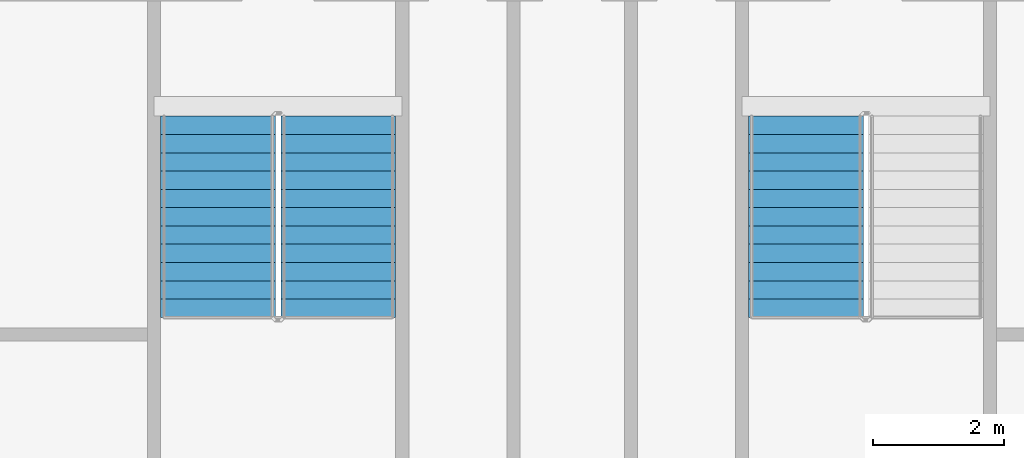
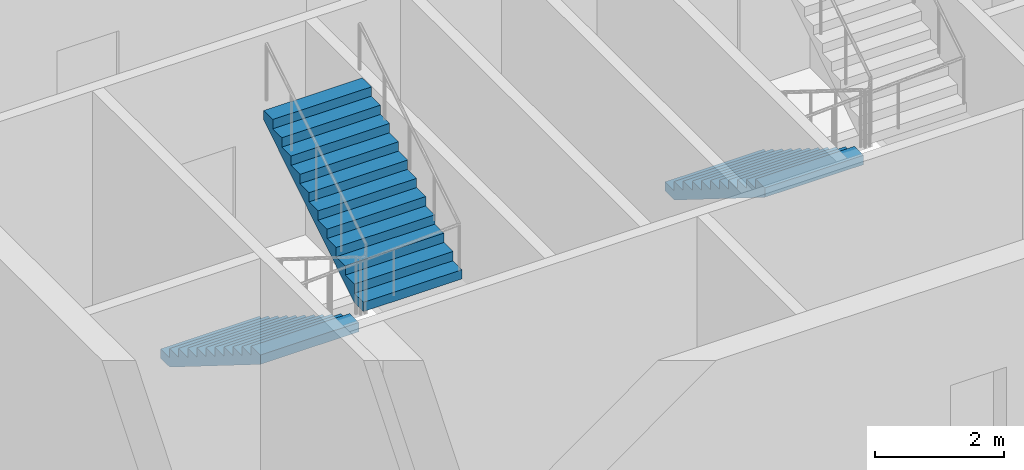
# One storey, part 29 of 36: 3 stair flights, 2 elements without a shape of their own.
"""IFC4 building model written with IfcOpenShell, lengths in metres."""

from ifc_helpers import new_model, si_unit, direction, frame, origin, place, context, subcontext, project, spatial, faceted_brep, material, type_object, element, aggregate, save


model = new_model("IFC4")

# Units and contexts
model_context = context("Model", 3, precision=1e-05, world=origin(), true_north=direction((0.0, 1.0)))
body_context = subcontext(model_context, "Body", "Model", "MODEL_VIEW")
ifc_project = project(units=[si_unit("LENGTHUNIT", "METRE"), si_unit("AREAUNIT", "SQUARE_METRE"), si_unit("VOLUMEUNIT", "CUBIC_METRE"), si_unit("PLANEANGLEUNIT", "RADIAN"), si_unit("MASSUNIT", "GRAM", prefix="KILO")], contexts=[model_context])

# Site, building, storey
site_placement = place(None, origin())
site = spatial("IfcSite", under=ifc_project, at=site_placement, CompositionType="ELEMENT")
building_placement = place(site_placement, origin())
building = spatial("IfcBuilding", under=site, at=building_placement, Name="Tarsis Ring Headquarters", CompositionType="ELEMENT")
storey_placement = place(building_placement, frame((0.0, 0.0, 386.0)))
storey = spatial("IfcBuildingStorey", under=building, at=storey_placement, Name="L91", CompositionType="ELEMENT", Elevation=386.0)

# Stair, stair flights
ifc_material_1 = material(Name="Core stair 1760")
stair_type = type_object("IfcStairType", Name="Core stair 1760", PredefinedType="HALF_TURN_STAIR", material=ifc_material_1)
stair_1_placement = place(storey_placement, origin())
stair_1 = element("IfcStair", 1, at=stair_1_placement, inside=storey, type_object=stair_type, Name="L91 Exit stair C", PredefinedType="HALF_TURN_STAIR")
ifc_material_2 = material(Name="Concrete C40/50", Category="concrete")
stair_flight_type = type_object("IfcStairFlightType", Name="Core stair flight 1760", PredefinedType="STRAIGHT", material=ifc_material_2)
stair_flight_1_placement = place(storey_placement, frame((-5.419921875, -3.659912109375, 0.0), z_axis=(0.0, 0.0, 1.0), x_axis=(0.0, -1.0, 0.0)))
stair_flight_1 = element("IfcStairFlight", 2, at=stair_flight_1_placement, type_object=stair_flight_type, Name="Stair ST3 flight 1", NumberOfRisers=12, NumberOfTreads=11, PredefinedType="STRAIGHT", RiserHeight=0.175, TreadLength=0.28, context=body_context, shape_type="Brep", body=[
    faceted_brep([(0.0, 0.8798828125, 0.0), (0.0, 0.8798828125, 0.175048828125), (0.280029296875, 0.8798828125, 0.175048828125), (0.280029296875, 0.8798828125, 0.35009765625), (0.56005859375, 0.8798828125, 0.35009765625), (0.56005859375, 0.8798828125, 0.52490234375), (0.840087890625, 0.8798828125, 0.52490234375), (0.840087890625, 0.8798828125, 0.699951171875), (1.1201171875, 0.8798828125, 0.699951171875), (1.1201171875, 0.8798828125, 0.875), (1.39990234375, 0.8798828125, 0.875), (1.39990234375, 0.8798828125, 1.050048828125), (1.679931640625, 0.8798828125, 1.050048828125), (1.679931640625, 0.8798828125, 1.22509765625), (1.9599609375, 0.8798828125, 1.22509765625), (1.9599609375, 0.8798828125, 1.39990234375), (2.239990234375, 0.8798828125, 1.39990234375), (2.239990234375, 0.8798828125, 1.574951171875), (2.52001953125, 0.8798828125, 1.574951171875), (2.52001953125, 0.8798828125, 1.75), (2.800048828125, 0.8798828125, 1.75), (2.800048828125, 0.8798828125, 1.925048828125), (3.080078125, 0.8798828125, 1.925048828125), (3.080078125, 0.8798828125, 1.748291015625), (0.28271484375, 0.8798828125, 0.0), (0.28271484375, -0.8798828125, 0.0), (3.080078125, -0.8798828125, 1.748291015625), (3.080078125, -0.8798828125, 1.925048828125), (2.800048828125, -0.8798828125, 1.925048828125), (2.800048828125, -0.8798828125, 1.75), (2.52001953125, -0.8798828125, 1.75), (2.52001953125, -0.8798828125, 1.574951171875), (2.239990234375, -0.8798828125, 1.574951171875), (2.239990234375, -0.8798828125, 1.39990234375), (1.9599609375, -0.8798828125, 1.39990234375), (1.9599609375, -0.8798828125, 1.22509765625), (1.679931640625, -0.8798828125, 1.22509765625), (1.679931640625, -0.8798828125, 1.050048828125), (1.39990234375, -0.8798828125, 1.050048828125), (1.39990234375, -0.8798828125, 0.875), (1.1201171875, -0.8798828125, 0.875), (1.1201171875, -0.8798828125, 0.699951171875), (0.840087890625, -0.8798828125, 0.699951171875), (0.840087890625, -0.8798828125, 0.52490234375), (0.56005859375, -0.8798828125, 0.52490234375), (0.56005859375, -0.8798828125, 0.35009765625), (0.280029296875, -0.8798828125, 0.35009765625), (0.280029296875, -0.8798828125, 0.175048828125), (0.0, -0.8798828125, 0.175048828125), (0.0, -0.8798828125, 0.0), (0.0, -0.43994140625, 0.175048828125), (0.0, -0.43994140625, 0.0), (0.0, 0.0, 0.175048828125), (0.0, 0.0, 0.0), (0.0, 0.43994140625, 0.175048828125), (0.0, 0.43994140625, 0.0), (0.280029296875, -0.43994140625, 0.175048828125), (0.280029296875, 0.0, 0.175048828125), (0.280029296875, 0.43994140625, 0.175048828125), (0.280029296875, -0.43994140625, 0.35009765625), (0.280029296875, 0.0, 0.35009765625), (0.280029296875, 0.43994140625, 0.35009765625), (0.56005859375, -0.43994140625, 0.35009765625), (0.56005859375, 0.0, 0.35009765625), (0.56005859375, 0.43994140625, 0.35009765625), (0.56005859375, -0.43994140625, 0.52490234375), (0.56005859375, 0.0, 0.52490234375), (0.56005859375, 0.43994140625, 0.52490234375), (0.840087890625, -0.43994140625, 0.52490234375), (0.840087890625, 0.0, 0.52490234375), (0.840087890625, 0.43994140625, 0.52490234375), (0.840087890625, -0.43994140625, 0.699951171875), (0.840087890625, 0.0, 0.699951171875), (0.840087890625, 0.43994140625, 0.699951171875), (1.1201171875, -0.43994140625, 0.699951171875), (1.1201171875, 0.0, 0.699951171875), (1.1201171875, 0.43994140625, 0.699951171875), (1.1201171875, -0.43994140625, 0.875), (1.1201171875, 0.0, 0.875), (1.1201171875, 0.43994140625, 0.875), (1.39990234375, -0.43994140625, 0.875), (1.39990234375, 0.0, 0.875), (1.39990234375, 0.43994140625, 0.875), (1.39990234375, -0.43994140625, 1.050048828125), (1.39990234375, 0.0, 1.050048828125), (1.39990234375, 0.43994140625, 1.050048828125), (1.679931640625, -0.43994140625, 1.050048828125), (1.679931640625, 0.0, 1.050048828125), (1.679931640625, 0.43994140625, 1.050048828125), (1.679931640625, -0.43994140625, 1.22509765625), (1.679931640625, 0.0, 1.22509765625), (1.679931640625, 0.43994140625, 1.22509765625), (1.9599609375, -0.43994140625, 1.22509765625), (1.9599609375, 0.0, 1.22509765625), (1.9599609375, 0.43994140625, 1.22509765625), (1.9599609375, -0.43994140625, 1.39990234375), (1.9599609375, 0.0, 1.39990234375), (1.9599609375, 0.43994140625, 1.39990234375), (2.239990234375, -0.43994140625, 1.39990234375), (2.239990234375, 0.0, 1.39990234375), (2.239990234375, 0.43994140625, 1.39990234375), (2.239990234375, -0.43994140625, 1.574951171875), (2.239990234375, 0.0, 1.574951171875), (2.239990234375, 0.43994140625, 1.574951171875), (2.52001953125, -0.43994140625, 1.574951171875), (2.52001953125, 0.0, 1.574951171875), (2.52001953125, 0.43994140625, 1.574951171875), (2.52001953125, -0.43994140625, 1.75), (2.52001953125, 0.0, 1.75), (2.52001953125, 0.43994140625, 1.75), (2.800048828125, -0.43994140625, 1.75), (2.800048828125, 0.0, 1.75), (2.800048828125, 0.43994140625, 1.75), (2.800048828125, -0.43994140625, 1.925048828125), (2.800048828125, 0.0, 1.925048828125), (2.800048828125, 0.43994140625, 1.925048828125), (3.080078125, -0.43994140625, 1.925048828125), (3.080078125, 0.0, 1.925048828125), (3.080078125, 0.43994140625, 1.925048828125), (3.080078125, -0.43994140625, 1.748291015625), (3.080078125, 0.0, 1.748291015625), (3.080078125, 0.43994140625, 1.748291015625), (0.28271484375, -0.43994140625, 0.0), (0.28271484375, 0.0, 0.0), (0.28271484375, 0.43994140625, 0.0)], [[[0, 1, 2, 3, 4, 5, 6, 7, 8, 9, 10, 11, 12, 13, 14, 15, 16, 17, 18, 19, 20, 21, 22, 23, 24]], [[25, 26, 27, 28, 29, 30, 31, 32, 33, 34, 35, 36, 37, 38, 39, 40, 41, 42, 43, 44, 45, 46, 47, 48, 49]], [[49, 48, 50, 51]], [[51, 50, 52, 53]], [[53, 52, 54, 55]], [[55, 54, 1, 0]], [[48, 47, 56, 50]], [[50, 56, 57, 52]], [[52, 57, 58, 54]], [[54, 58, 2, 1]], [[47, 46, 59, 56]], [[56, 59, 60, 57]], [[57, 60, 61, 58]], [[58, 61, 3, 2]], [[46, 45, 62, 59]], [[59, 62, 63, 60]], [[60, 63, 64, 61]], [[61, 64, 4, 3]], [[45, 44, 65, 62]], [[62, 65, 66, 63]], [[63, 66, 67, 64]], [[64, 67, 5, 4]], [[44, 43, 68, 65]], [[65, 68, 69, 66]], [[66, 69, 70, 67]], [[67, 70, 6, 5]], [[43, 42, 71, 68]], [[68, 71, 72, 69]], [[69, 72, 73, 70]], [[70, 73, 7, 6]], [[42, 41, 74, 71]], [[71, 74, 75, 72]], [[72, 75, 76, 73]], [[73, 76, 8, 7]], [[41, 40, 77, 74]], [[74, 77, 78, 75]], [[75, 78, 79, 76]], [[76, 79, 9, 8]], [[40, 39, 80, 77]], [[77, 80, 81, 78]], [[78, 81, 82, 79]], [[79, 82, 10, 9]], [[39, 38, 83, 80]], [[80, 83, 84, 81]], [[81, 84, 85, 82]], [[82, 85, 11, 10]], [[38, 37, 86, 83]], [[83, 86, 87, 84]], [[84, 87, 88, 85]], [[85, 88, 12, 11]], [[37, 36, 89, 86]], [[86, 89, 90, 87]], [[87, 90, 91, 88]], [[88, 91, 13, 12]], [[36, 35, 92, 89]], [[89, 92, 93, 90]], [[90, 93, 94, 91]], [[91, 94, 14, 13]], [[35, 34, 95, 92]], [[92, 95, 96, 93]], [[93, 96, 97, 94]], [[94, 97, 15, 14]], [[34, 33, 98, 95]], [[95, 98, 99, 96]], [[96, 99, 100, 97]], [[97, 100, 16, 15]], [[33, 32, 101, 98]], [[98, 101, 102, 99]], [[99, 102, 103, 100]], [[100, 103, 17, 16]], [[32, 31, 104, 101]], [[101, 104, 105, 102]], [[102, 105, 106, 103]], [[103, 106, 18, 17]], [[31, 30, 107, 104]], [[104, 107, 108, 105]], [[105, 108, 109, 106]], [[106, 109, 19, 18]], [[30, 29, 110, 107]], [[107, 110, 111, 108]], [[108, 111, 112, 109]], [[109, 112, 20, 19]], [[29, 28, 113, 110]], [[110, 113, 114, 111]], [[111, 114, 115, 112]], [[112, 115, 21, 20]], [[28, 27, 116, 113]], [[113, 116, 117, 114]], [[114, 117, 118, 115]], [[115, 118, 22, 21]], [[27, 26, 119, 116]], [[116, 119, 120, 117]], [[117, 120, 121, 118]], [[118, 121, 23, 22]], [[26, 25, 122, 119]], [[119, 122, 123, 120]], [[120, 123, 124, 121]], [[121, 124, 24, 23]], [[25, 49, 51, 122]], [[122, 51, 53, 123]], [[123, 53, 55, 124]], [[124, 55, 0, 24]]]),
])
stair_flight_2_placement = place(storey_placement, frame((-3.580078125, -6.739990234375, 2.10009765625), z_axis=(0.0, 0.0, 1.0), x_axis=(0.0, 1.0, 0.0)))
stair_flight_2 = element("IfcStairFlight", 3, at=stair_flight_2_placement, type_object=stair_flight_type, Name="Stair ST3 flight 2", NumberOfRisers=12, NumberOfTreads=11, PredefinedType="STRAIGHT", RiserHeight=0.175, TreadLength=0.28, context=body_context, shape_type="Brep", body=[
    faceted_brep([(0.0, 0.8798828125, 0.0), (0.0, 0.8798828125, 0.175048828125), (0.280029296875, 0.8798828125, 0.175048828125), (0.280029296875, 0.8798828125, 0.35009765625), (0.56005859375, 0.8798828125, 0.35009765625), (0.56005859375, 0.8798828125, 0.52490234375), (0.840087890625, 0.8798828125, 0.52490234375), (0.840087890625, 0.8798828125, 0.699951171875), (1.1201171875, 0.8798828125, 0.699951171875), (1.1201171875, 0.8798828125, 0.875), (1.39990234375, 0.8798828125, 0.875), (1.39990234375, 0.8798828125, 1.050048828125), (1.679931640625, 0.8798828125, 1.050048828125), (1.679931640625, 0.8798828125, 1.22509765625), (1.9599609375, 0.8798828125, 1.22509765625), (1.9599609375, 0.8798828125, 1.39990234375), (2.239990234375, 0.8798828125, 1.39990234375), (2.239990234375, 0.8798828125, 1.574951171875), (2.52001953125, 0.8798828125, 1.574951171875), (2.52001953125, 0.8798828125, 1.75), (2.800048828125, 0.8798828125, 1.75), (2.800048828125, 0.8798828125, 1.925048828125), (3.080078125, 0.8798828125, 1.925048828125), (3.080078125, 0.8798828125, 1.748291015625), (0.28271484375, 0.8798828125, 0.0), (0.28271484375, -0.8798828125, 0.0), (3.080078125, -0.8798828125, 1.748291015625), (3.080078125, -0.8798828125, 1.925048828125), (2.800048828125, -0.8798828125, 1.925048828125), (2.800048828125, -0.8798828125, 1.75), (2.52001953125, -0.8798828125, 1.75), (2.52001953125, -0.8798828125, 1.574951171875), (2.239990234375, -0.8798828125, 1.574951171875), (2.239990234375, -0.8798828125, 1.39990234375), (1.9599609375, -0.8798828125, 1.39990234375), (1.9599609375, -0.8798828125, 1.22509765625), (1.679931640625, -0.8798828125, 1.22509765625), (1.679931640625, -0.8798828125, 1.050048828125), (1.39990234375, -0.8798828125, 1.050048828125), (1.39990234375, -0.8798828125, 0.875), (1.1201171875, -0.8798828125, 0.875), (1.1201171875, -0.8798828125, 0.699951171875), (0.840087890625, -0.8798828125, 0.699951171875), (0.840087890625, -0.8798828125, 0.52490234375), (0.56005859375, -0.8798828125, 0.52490234375), (0.56005859375, -0.8798828125, 0.35009765625), (0.280029296875, -0.8798828125, 0.35009765625), (0.280029296875, -0.8798828125, 0.175048828125), (0.0, -0.8798828125, 0.175048828125), (0.0, -0.8798828125, 0.0), (0.0, -0.43994140625, 0.175048828125), (0.0, -0.43994140625, 0.0), (0.0, 0.0, 0.175048828125), (0.0, 0.0, 0.0), (0.0, 0.43994140625, 0.175048828125), (0.0, 0.43994140625, 0.0), (0.280029296875, -0.43994140625, 0.175048828125), (0.280029296875, 0.0, 0.175048828125), (0.280029296875, 0.43994140625, 0.175048828125), (0.280029296875, -0.43994140625, 0.35009765625), (0.280029296875, 0.0, 0.35009765625), (0.280029296875, 0.43994140625, 0.35009765625), (0.56005859375, -0.43994140625, 0.35009765625), (0.56005859375, 0.0, 0.35009765625), (0.56005859375, 0.43994140625, 0.35009765625), (0.56005859375, -0.43994140625, 0.52490234375), (0.56005859375, 0.0, 0.52490234375), (0.56005859375, 0.43994140625, 0.52490234375), (0.840087890625, -0.43994140625, 0.52490234375), (0.840087890625, 0.0, 0.52490234375), (0.840087890625, 0.43994140625, 0.52490234375), (0.840087890625, -0.43994140625, 0.699951171875), (0.840087890625, 0.0, 0.699951171875), (0.840087890625, 0.43994140625, 0.699951171875), (1.1201171875, -0.43994140625, 0.699951171875), (1.1201171875, 0.0, 0.699951171875), (1.1201171875, 0.43994140625, 0.699951171875), (1.1201171875, -0.43994140625, 0.875), (1.1201171875, 0.0, 0.875), (1.1201171875, 0.43994140625, 0.875), (1.39990234375, -0.43994140625, 0.875), (1.39990234375, 0.0, 0.875), (1.39990234375, 0.43994140625, 0.875), (1.39990234375, -0.43994140625, 1.050048828125), (1.39990234375, 0.0, 1.050048828125), (1.39990234375, 0.43994140625, 1.050048828125), (1.679931640625, -0.43994140625, 1.050048828125), (1.679931640625, 0.0, 1.050048828125), (1.679931640625, 0.43994140625, 1.050048828125), (1.679931640625, -0.43994140625, 1.22509765625), (1.679931640625, 0.0, 1.22509765625), (1.679931640625, 0.43994140625, 1.22509765625), (1.9599609375, -0.43994140625, 1.22509765625), (1.9599609375, 0.0, 1.22509765625), (1.9599609375, 0.43994140625, 1.22509765625), (1.9599609375, -0.43994140625, 1.39990234375), (1.9599609375, 0.0, 1.39990234375), (1.9599609375, 0.43994140625, 1.39990234375), (2.239990234375, -0.43994140625, 1.39990234375), (2.239990234375, 0.0, 1.39990234375), (2.239990234375, 0.43994140625, 1.39990234375), (2.239990234375, -0.43994140625, 1.574951171875), (2.239990234375, 0.0, 1.574951171875), (2.239990234375, 0.43994140625, 1.574951171875), (2.52001953125, -0.43994140625, 1.574951171875), (2.52001953125, 0.0, 1.574951171875), (2.52001953125, 0.43994140625, 1.574951171875), (2.52001953125, -0.43994140625, 1.75), (2.52001953125, 0.0, 1.75), (2.52001953125, 0.43994140625, 1.75), (2.800048828125, -0.43994140625, 1.75), (2.800048828125, 0.0, 1.75), (2.800048828125, 0.43994140625, 1.75), (2.800048828125, -0.43994140625, 1.925048828125), (2.800048828125, 0.0, 1.925048828125), (2.800048828125, 0.43994140625, 1.925048828125), (3.080078125, -0.43994140625, 1.925048828125), (3.080078125, 0.0, 1.925048828125), (3.080078125, 0.43994140625, 1.925048828125), (3.080078125, -0.43994140625, 1.748291015625), (3.080078125, 0.0, 1.748291015625), (3.080078125, 0.43994140625, 1.748291015625), (0.28271484375, -0.43994140625, 0.0), (0.28271484375, 0.0, 0.0), (0.28271484375, 0.43994140625, 0.0)], [[[0, 1, 2, 3, 4, 5, 6, 7, 8, 9, 10, 11, 12, 13, 14, 15, 16, 17, 18, 19, 20, 21, 22, 23, 24]], [[25, 26, 27, 28, 29, 30, 31, 32, 33, 34, 35, 36, 37, 38, 39, 40, 41, 42, 43, 44, 45, 46, 47, 48, 49]], [[49, 48, 50, 51]], [[51, 50, 52, 53]], [[53, 52, 54, 55]], [[55, 54, 1, 0]], [[48, 47, 56, 50]], [[50, 56, 57, 52]], [[52, 57, 58, 54]], [[54, 58, 2, 1]], [[47, 46, 59, 56]], [[56, 59, 60, 57]], [[57, 60, 61, 58]], [[58, 61, 3, 2]], [[46, 45, 62, 59]], [[59, 62, 63, 60]], [[60, 63, 64, 61]], [[61, 64, 4, 3]], [[45, 44, 65, 62]], [[62, 65, 66, 63]], [[63, 66, 67, 64]], [[64, 67, 5, 4]], [[44, 43, 68, 65]], [[65, 68, 69, 66]], [[66, 69, 70, 67]], [[67, 70, 6, 5]], [[43, 42, 71, 68]], [[68, 71, 72, 69]], [[69, 72, 73, 70]], [[70, 73, 7, 6]], [[42, 41, 74, 71]], [[71, 74, 75, 72]], [[72, 75, 76, 73]], [[73, 76, 8, 7]], [[41, 40, 77, 74]], [[74, 77, 78, 75]], [[75, 78, 79, 76]], [[76, 79, 9, 8]], [[40, 39, 80, 77]], [[77, 80, 81, 78]], [[78, 81, 82, 79]], [[79, 82, 10, 9]], [[39, 38, 83, 80]], [[80, 83, 84, 81]], [[81, 84, 85, 82]], [[82, 85, 11, 10]], [[38, 37, 86, 83]], [[83, 86, 87, 84]], [[84, 87, 88, 85]], [[85, 88, 12, 11]], [[37, 36, 89, 86]], [[86, 89, 90, 87]], [[87, 90, 91, 88]], [[88, 91, 13, 12]], [[36, 35, 92, 89]], [[89, 92, 93, 90]], [[90, 93, 94, 91]], [[91, 94, 14, 13]], [[35, 34, 95, 92]], [[92, 95, 96, 93]], [[93, 96, 97, 94]], [[94, 97, 15, 14]], [[34, 33, 98, 95]], [[95, 98, 99, 96]], [[96, 99, 100, 97]], [[97, 100, 16, 15]], [[33, 32, 101, 98]], [[98, 101, 102, 99]], [[99, 102, 103, 100]], [[100, 103, 17, 16]], [[32, 31, 104, 101]], [[101, 104, 105, 102]], [[102, 105, 106, 103]], [[103, 106, 18, 17]], [[31, 30, 107, 104]], [[104, 107, 108, 105]], [[105, 108, 109, 106]], [[106, 109, 19, 18]], [[30, 29, 110, 107]], [[107, 110, 111, 108]], [[108, 111, 112, 109]], [[109, 112, 20, 19]], [[29, 28, 113, 110]], [[110, 113, 114, 111]], [[111, 114, 115, 112]], [[112, 115, 21, 20]], [[28, 27, 116, 113]], [[113, 116, 117, 114]], [[114, 117, 118, 115]], [[115, 118, 22, 21]], [[27, 26, 119, 116]], [[116, 119, 120, 117]], [[117, 120, 121, 118]], [[118, 121, 23, 22]], [[26, 25, 122, 119]], [[119, 122, 123, 120]], [[120, 123, 124, 121]], [[121, 124, 24, 23]], [[25, 49, 51, 122]], [[122, 51, 53, 123]], [[123, 53, 55, 124]], [[124, 55, 0, 24]]]),
])
aggregate(stair_1, [stair_flight_1, stair_flight_2])

# Stair, stair flight
stair_2_placement = place(storey_placement, origin())
stair_2 = element("IfcStair", 4, at=stair_2_placement, inside=storey, type_object=stair_type, Name="L91 Exit stair D", PredefinedType="HALF_TURN_STAIR")
stair_flight_3_placement = place(storey_placement, frame((3.580078125, -3.659912109375, 0.0), z_axis=(0.0, 0.0, 1.0), x_axis=(0.0, -1.0, 0.0)))
stair_flight_3 = element("IfcStairFlight", 5, at=stair_flight_3_placement, type_object=stair_flight_type, Name="Stair ST4 flight 1", NumberOfRisers=12, NumberOfTreads=11, PredefinedType="STRAIGHT", RiserHeight=0.175, TreadLength=0.28, context=body_context, shape_type="Brep", body=[
    faceted_brep([(0.0, 0.8798828125, 0.0), (0.0, 0.8798828125, 0.175048828125), (0.280029296875, 0.8798828125, 0.175048828125), (0.280029296875, 0.8798828125, 0.35009765625), (0.56005859375, 0.8798828125, 0.35009765625), (0.56005859375, 0.8798828125, 0.52490234375), (0.840087890625, 0.8798828125, 0.52490234375), (0.840087890625, 0.8798828125, 0.699951171875), (1.1201171875, 0.8798828125, 0.699951171875), (1.1201171875, 0.8798828125, 0.875), (1.39990234375, 0.8798828125, 0.875), (1.39990234375, 0.8798828125, 1.050048828125), (1.679931640625, 0.8798828125, 1.050048828125), (1.679931640625, 0.8798828125, 1.22509765625), (1.9599609375, 0.8798828125, 1.22509765625), (1.9599609375, 0.8798828125, 1.39990234375), (2.239990234375, 0.8798828125, 1.39990234375), (2.239990234375, 0.8798828125, 1.574951171875), (2.52001953125, 0.8798828125, 1.574951171875), (2.52001953125, 0.8798828125, 1.75), (2.800048828125, 0.8798828125, 1.75), (2.800048828125, 0.8798828125, 1.925048828125), (3.080078125, 0.8798828125, 1.925048828125), (3.080078125, 0.8798828125, 1.748291015625), (0.28271484375, 0.8798828125, 0.0), (0.28271484375, -0.8798828125, 0.0), (3.080078125, -0.8798828125, 1.748291015625), (3.080078125, -0.8798828125, 1.925048828125), (2.800048828125, -0.8798828125, 1.925048828125), (2.800048828125, -0.8798828125, 1.75), (2.52001953125, -0.8798828125, 1.75), (2.52001953125, -0.8798828125, 1.574951171875), (2.239990234375, -0.8798828125, 1.574951171875), (2.239990234375, -0.8798828125, 1.39990234375), (1.9599609375, -0.8798828125, 1.39990234375), (1.9599609375, -0.8798828125, 1.22509765625), (1.679931640625, -0.8798828125, 1.22509765625), (1.679931640625, -0.8798828125, 1.050048828125), (1.39990234375, -0.8798828125, 1.050048828125), (1.39990234375, -0.8798828125, 0.875), (1.1201171875, -0.8798828125, 0.875), (1.1201171875, -0.8798828125, 0.699951171875), (0.840087890625, -0.8798828125, 0.699951171875), (0.840087890625, -0.8798828125, 0.52490234375), (0.56005859375, -0.8798828125, 0.52490234375), (0.56005859375, -0.8798828125, 0.35009765625), (0.280029296875, -0.8798828125, 0.35009765625), (0.280029296875, -0.8798828125, 0.175048828125), (0.0, -0.8798828125, 0.175048828125), (0.0, -0.8798828125, 0.0), (0.0, -0.43994140625, 0.175048828125), (0.0, -0.43994140625, 0.0), (0.0, 0.0, 0.175048828125), (0.0, 0.0, 0.0), (0.0, 0.43994140625, 0.175048828125), (0.0, 0.43994140625, 0.0), (0.280029296875, -0.43994140625, 0.175048828125), (0.280029296875, 0.0, 0.175048828125), (0.280029296875, 0.43994140625, 0.175048828125), (0.280029296875, -0.43994140625, 0.35009765625), (0.280029296875, 0.0, 0.35009765625), (0.280029296875, 0.43994140625, 0.35009765625), (0.56005859375, -0.43994140625, 0.35009765625), (0.56005859375, 0.0, 0.35009765625), (0.56005859375, 0.43994140625, 0.35009765625), (0.56005859375, -0.43994140625, 0.52490234375), (0.56005859375, 0.0, 0.52490234375), (0.56005859375, 0.43994140625, 0.52490234375), (0.840087890625, -0.43994140625, 0.52490234375), (0.840087890625, 0.0, 0.52490234375), (0.840087890625, 0.43994140625, 0.52490234375), (0.840087890625, -0.43994140625, 0.699951171875), (0.840087890625, 0.0, 0.699951171875), (0.840087890625, 0.43994140625, 0.699951171875), (1.1201171875, -0.43994140625, 0.699951171875), (1.1201171875, 0.0, 0.699951171875), (1.1201171875, 0.43994140625, 0.699951171875), (1.1201171875, -0.43994140625, 0.875), (1.1201171875, 0.0, 0.875), (1.1201171875, 0.43994140625, 0.875), (1.39990234375, -0.43994140625, 0.875), (1.39990234375, 0.0, 0.875), (1.39990234375, 0.43994140625, 0.875), (1.39990234375, -0.43994140625, 1.050048828125), (1.39990234375, 0.0, 1.050048828125), (1.39990234375, 0.43994140625, 1.050048828125), (1.679931640625, -0.43994140625, 1.050048828125), (1.679931640625, 0.0, 1.050048828125), (1.679931640625, 0.43994140625, 1.050048828125), (1.679931640625, -0.43994140625, 1.22509765625), (1.679931640625, 0.0, 1.22509765625), (1.679931640625, 0.43994140625, 1.22509765625), (1.9599609375, -0.43994140625, 1.22509765625), (1.9599609375, 0.0, 1.22509765625), (1.9599609375, 0.43994140625, 1.22509765625), (1.9599609375, -0.43994140625, 1.39990234375), (1.9599609375, 0.0, 1.39990234375), (1.9599609375, 0.43994140625, 1.39990234375), (2.239990234375, -0.43994140625, 1.39990234375), (2.239990234375, 0.0, 1.39990234375), (2.239990234375, 0.43994140625, 1.39990234375), (2.239990234375, -0.43994140625, 1.574951171875), (2.239990234375, 0.0, 1.574951171875), (2.239990234375, 0.43994140625, 1.574951171875), (2.52001953125, -0.43994140625, 1.574951171875), (2.52001953125, 0.0, 1.574951171875), (2.52001953125, 0.43994140625, 1.574951171875), (2.52001953125, -0.43994140625, 1.75), (2.52001953125, 0.0, 1.75), (2.52001953125, 0.43994140625, 1.75), (2.800048828125, -0.43994140625, 1.75), (2.800048828125, 0.0, 1.75), (2.800048828125, 0.43994140625, 1.75), (2.800048828125, -0.43994140625, 1.925048828125), (2.800048828125, 0.0, 1.925048828125), (2.800048828125, 0.43994140625, 1.925048828125), (3.080078125, -0.43994140625, 1.925048828125), (3.080078125, 0.0, 1.925048828125), (3.080078125, 0.43994140625, 1.925048828125), (3.080078125, -0.43994140625, 1.748291015625), (3.080078125, 0.0, 1.748291015625), (3.080078125, 0.43994140625, 1.748291015625), (0.28271484375, -0.43994140625, 0.0), (0.28271484375, 0.0, 0.0), (0.28271484375, 0.43994140625, 0.0)], [[[0, 1, 2, 3, 4, 5, 6, 7, 8, 9, 10, 11, 12, 13, 14, 15, 16, 17, 18, 19, 20, 21, 22, 23, 24]], [[25, 26, 27, 28, 29, 30, 31, 32, 33, 34, 35, 36, 37, 38, 39, 40, 41, 42, 43, 44, 45, 46, 47, 48, 49]], [[49, 48, 50, 51]], [[51, 50, 52, 53]], [[53, 52, 54, 55]], [[55, 54, 1, 0]], [[48, 47, 56, 50]], [[50, 56, 57, 52]], [[52, 57, 58, 54]], [[54, 58, 2, 1]], [[47, 46, 59, 56]], [[56, 59, 60, 57]], [[57, 60, 61, 58]], [[58, 61, 3, 2]], [[46, 45, 62, 59]], [[59, 62, 63, 60]], [[60, 63, 64, 61]], [[61, 64, 4, 3]], [[45, 44, 65, 62]], [[62, 65, 66, 63]], [[63, 66, 67, 64]], [[64, 67, 5, 4]], [[44, 43, 68, 65]], [[65, 68, 69, 66]], [[66, 69, 70, 67]], [[67, 70, 6, 5]], [[43, 42, 71, 68]], [[68, 71, 72, 69]], [[69, 72, 73, 70]], [[70, 73, 7, 6]], [[42, 41, 74, 71]], [[71, 74, 75, 72]], [[72, 75, 76, 73]], [[73, 76, 8, 7]], [[41, 40, 77, 74]], [[74, 77, 78, 75]], [[75, 78, 79, 76]], [[76, 79, 9, 8]], [[40, 39, 80, 77]], [[77, 80, 81, 78]], [[78, 81, 82, 79]], [[79, 82, 10, 9]], [[39, 38, 83, 80]], [[80, 83, 84, 81]], [[81, 84, 85, 82]], [[82, 85, 11, 10]], [[38, 37, 86, 83]], [[83, 86, 87, 84]], [[84, 87, 88, 85]], [[85, 88, 12, 11]], [[37, 36, 89, 86]], [[86, 89, 90, 87]], [[87, 90, 91, 88]], [[88, 91, 13, 12]], [[36, 35, 92, 89]], [[89, 92, 93, 90]], [[90, 93, 94, 91]], [[91, 94, 14, 13]], [[35, 34, 95, 92]], [[92, 95, 96, 93]], [[93, 96, 97, 94]], [[94, 97, 15, 14]], [[34, 33, 98, 95]], [[95, 98, 99, 96]], [[96, 99, 100, 97]], [[97, 100, 16, 15]], [[33, 32, 101, 98]], [[98, 101, 102, 99]], [[99, 102, 103, 100]], [[100, 103, 17, 16]], [[32, 31, 104, 101]], [[101, 104, 105, 102]], [[102, 105, 106, 103]], [[103, 106, 18, 17]], [[31, 30, 107, 104]], [[104, 107, 108, 105]], [[105, 108, 109, 106]], [[106, 109, 19, 18]], [[30, 29, 110, 107]], [[107, 110, 111, 108]], [[108, 111, 112, 109]], [[109, 112, 20, 19]], [[29, 28, 113, 110]], [[110, 113, 114, 111]], [[111, 114, 115, 112]], [[112, 115, 21, 20]], [[28, 27, 116, 113]], [[113, 116, 117, 114]], [[114, 117, 118, 115]], [[115, 118, 22, 21]], [[27, 26, 119, 116]], [[116, 119, 120, 117]], [[117, 120, 121, 118]], [[118, 121, 23, 22]], [[26, 25, 122, 119]], [[119, 122, 123, 120]], [[120, 123, 124, 121]], [[121, 124, 24, 23]], [[25, 49, 51, 122]], [[122, 51, 53, 123]], [[123, 53, 55, 124]], [[124, 55, 0, 24]]]),
])
aggregate(stair_2, [stair_flight_3])

save(model, "model.ifc")
